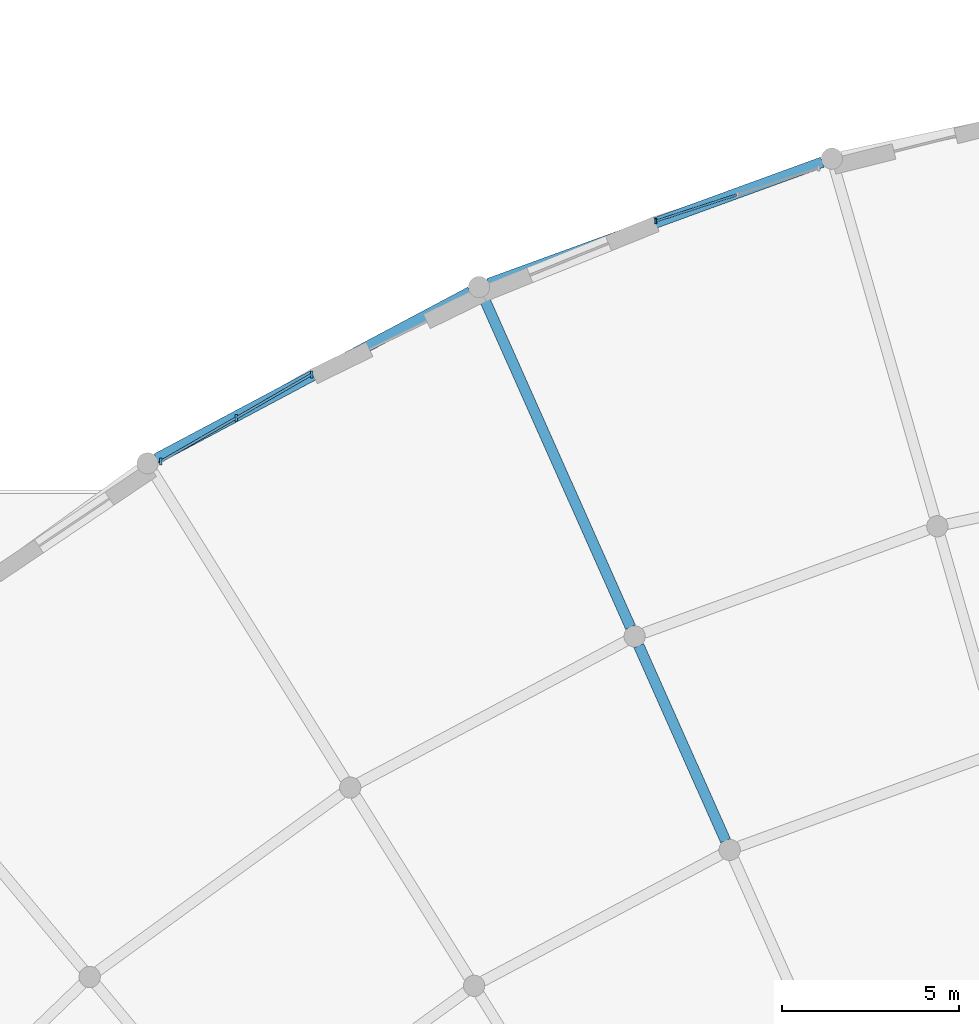
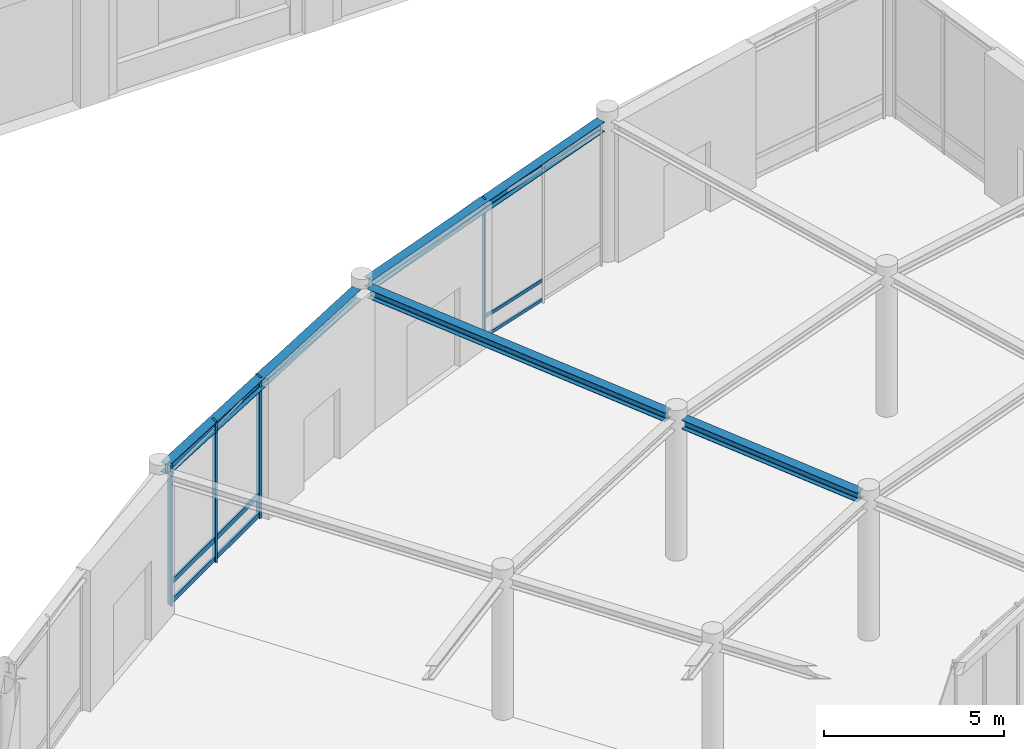
# One storey, part 31 of 64: 13 members, 4 beams, 2 elements without a shape of their own.
"""IFC4 building model written with IfcOpenShell, lengths in metres."""

from ifc_helpers import new_model, si_unit, direction, frame, origin, origin_2d, place, context, subcontext, project, spatial, rectangle, i_section, extrude, material, material_profile, profile_set, type_object, element, aggregate, save


model = new_model("IFC4")

# Units and contexts
model_context = context("Model", 3, precision=1e-05, world=origin(), true_north=direction((0.0, 1.0)))
body_context = subcontext(model_context, "Body", "Model", "MODEL_VIEW")
ifc_project = project(units=[si_unit("LENGTHUNIT", "METRE"), si_unit("AREAUNIT", "SQUARE_METRE"), si_unit("VOLUMEUNIT", "CUBIC_METRE"), si_unit("PLANEANGLEUNIT", "RADIAN"), si_unit("MASSUNIT", "GRAM", prefix="KILO")], contexts=[model_context])

# Site, building, storey
site_placement = place(None, origin())
site = spatial("IfcSite", under=ifc_project, at=site_placement, CompositionType="ELEMENT")
building_placement = place(site_placement, origin())
building = spatial("IfcBuilding", under=site, at=building_placement, Name="Clarverna Civic Hall", CompositionType="ELEMENT")
storey_placement = place(building_placement, origin())
storey = spatial("IfcBuildingStorey", under=building, at=storey_placement, Name="L00", CompositionType="ELEMENT", Elevation=0.0)

# Beams
ifc_material_1 = material(Name="Steel S355", Category="steel")
ifc_material_profile_1 = material_profile(ifc_material_1, i_section(OverallWidth=0.300048828125, OverallDepth=0.330078125, WebThickness=0.009521484375, FlangeThickness=0.0166015625, FilletRadius=0.027099609375, at=origin_2d()), Name="HEA 340")
ifc_profile_set_1 = profile_set([ifc_material_profile_1], Name="Steel S355")
beam_type_1 = type_object("IfcBeamType", Name="B-ST8", PredefinedType="BEAM", material=ifc_profile_set_1)
for number, where, z_axis, x_axis, name in (
    (1, (130.78369140625, 80.95849609375, 4.614990234375), (-0.939696050408, -0.342010720369, 0.0), (0.342010720369, -0.939696050408, 0.0), "B-ST8-048"),
    (2, (120.83642578125, 77.295654296875, 4.614990234375), (-0.882948366794, -0.469470107222, 0.0), (0.469470107222, -0.882948366794, 0.0), "B-ST8-049"),
):
    element("IfcBeam", number, at=place(storey_placement, frame(where, z_axis=z_axis, x_axis=x_axis)), inside=storey, type_object=beam_type_1, Name=name, PredefinedType="BEAM", context=body_context, shape_type="SweptSolid", body=[
        extrude(i_section(OverallWidth=0.300048828125, OverallDepth=0.330078125, WebThickness=0.009521484375, FlangeThickness=0.0166015625, FilletRadius=0.027099609375, at=origin_2d()), origin(), (0.0, 0.0, 1.0), 10.032958984375),
    ])
ifc_material_profile_2 = material_profile(ifc_material_1, i_section(OverallWidth=0.300048828125, OverallDepth=0.31005859375, WebThickness=0.009033203125, FlangeThickness=0.015380859375, FilletRadius=0.027099609375, at=origin_2d()), Name="HEA 320")
ifc_profile_set_2 = profile_set([ifc_material_profile_2], Name="Steel S355")
beam_type_2 = type_object("IfcBeamType", Name="B-ST9", PredefinedType="BEAM", material=ifc_profile_set_2)
beam_1_placement = place(storey_placement, frame((128.04931640625, 61.794189453125, 4.625), z_axis=(-0.406746954936, 0.913540866437, 0.0), x_axis=(-0.913540866437, -0.406746954936, 0.0)))
element("IfcBeam", 3, at=beam_1_placement, inside=storey, type_object=beam_type_2, Name="B-ST9-029", PredefinedType="BEAM", context=body_context, shape_type="SweptSolid", body=[
    extrude(i_section(OverallWidth=0.300048828125, OverallDepth=0.31005859375, WebThickness=0.009033203125, FlangeThickness=0.015380859375, FilletRadius=0.027099609375, at=origin_2d()), origin(), (0.0, 0.0, 1.0), 6.02978515625),
])
beam_2_placement = place(storey_placement, frame((125.364990234375, 67.823486328125, 4.625), z_axis=(-0.406749507712, 0.913539729829, 0.0), x_axis=(-0.913539729829, -0.406749507712, 0.0)))
element("IfcBeam", 4, at=beam_2_placement, inside=storey, type_object=beam_type_2, Name="B-ST9-030", PredefinedType="BEAM", context=body_context, shape_type="SweptSolid", body=[
    extrude(i_section(OverallWidth=0.300048828125, OverallDepth=0.31005859375, WebThickness=0.009033203125, FlangeThickness=0.015380859375, FilletRadius=0.027099609375, at=origin_2d()), origin(), (0.0, 0.0, 1.0), 10.230224609375),
])

# Curtain wall, members
ifc_material_2 = material(Name="Anodised Bronze Architectural Aluminium", Category="aluminium")
curtain_wall_type = type_object("IfcCurtainWallType", Name="CW-03", PredefinedType="USERDEFINED", material=ifc_material_2)
curtain_wall_1_placement = place(storey_placement, origin())
curtain_wall_1 = element("IfcCurtainWall", 5, at=curtain_wall_1_placement, inside=storey, type_object=curtain_wall_type, Name="CW-03-002", ObjectType="UNITISED CURTAIN WALL", PredefinedType="USERDEFINED")
ifc_material_profile_3 = material_profile(ifc_material_2, rectangle(XDim=0.06494140625, YDim=0.199951171875, at=origin_2d()), Name="BRONZE 65x200")
ifc_profile_set_3 = profile_set([ifc_material_profile_3], Name="Anodised Bronze Architectural Aluminium")
member_type_1 = type_object("IfcMemberType", Name="CWM-03", PredefinedType="MULLION", material=ifc_profile_set_3)
member_1_placement = place(storey_placement, frame((112.0947265625, 72.5029296875, 0.0), z_axis=(0.0, 0.0, 1.0), x_axis=(1.0, 0.0, 0.0)))
member_1 = element("IfcMember", 6, at=member_1_placement, type_object=member_type_1, Name="CWM-03-001", PredefinedType="MULLION", context=body_context, shape_type="SweptSolid", body=[
    extrude(rectangle(XDim=0.06494140625, YDim=0.199951171875, at=origin_2d()), origin(), (0.0, 0.0, 1.0), 4.780029296875),
])
member_2_placement = place(storey_placement, frame((114.22802734375, 73.734619140625, 0.0), z_axis=(0.0, 0.0, 1.0), x_axis=(1.0, 0.0, 0.0)))
member_2 = element("IfcMember", 7, at=member_2_placement, type_object=member_type_1, Name="CWM-03-002", PredefinedType="MULLION", context=body_context, shape_type="SweptSolid", body=[
    extrude(rectangle(XDim=0.06494140625, YDim=0.199951171875, at=origin_2d()), origin(), (0.0, 0.0, 1.0), 4.780029296875),
])
member_3_placement = place(storey_placement, frame((116.361572265625, 74.96630859375, 0.0), z_axis=(0.0, 0.0, 1.0), x_axis=(1.0, 0.0, 0.0)))
member_3 = element("IfcMember", 8, at=member_3_placement, type_object=member_type_1, Name="CWM-03-003", PredefinedType="MULLION", context=body_context, shape_type="SweptSolid", body=[
    extrude(rectangle(XDim=0.06494140625, YDim=0.199951171875, at=origin_2d()), origin(), (0.0, 0.0, 1.0), 4.780029296875),
])

# Curtain wall, member
curtain_wall_2_placement = place(storey_placement, origin())
curtain_wall_2 = element("IfcCurtainWall", 9, at=curtain_wall_2_placement, inside=storey, type_object=curtain_wall_type, Name="CW-03-003", ObjectType="UNITISED CURTAIN WALL", PredefinedType="USERDEFINED")
ifc_material_profile_4 = material_profile(ifc_material_2, rectangle(XDim=0.054931640625, YDim=0.139892578125, at=origin_2d()), Name="BRONZE 55x140")
ifc_profile_set_4 = profile_set([ifc_material_profile_4], Name="Anodised Bronze Architectural Aluminium")
member_type_2 = type_object("IfcMemberType", Name="CWM-04", PredefinedType="MULLION", material=ifc_profile_set_4)
member_4_placement = place(storey_placement, frame((126.081298828125, 79.293701171875, 0.0), z_axis=(0.0, 0.0, 1.0), x_axis=(1.0, 0.0, 0.0)))
member_4 = element("IfcMember", 10, at=member_4_placement, type_object=member_type_2, Name="CWM-04-001", PredefinedType="MULLION", context=body_context, shape_type="SweptSolid", body=[
    extrude(rectangle(XDim=0.054931640625, YDim=0.139892578125, at=origin_2d()), origin(), (0.0, 0.0, 1.0), 4.780029296875),
])

# Member
ifc_material_profile_5 = material_profile(ifc_material_2, rectangle(XDim=0.06494140625, YDim=0.169921875, at=origin_2d()), Name="BRONZE 65x170")
ifc_profile_set_5 = profile_set([ifc_material_profile_5], Name="Anodised Bronze Architectural Aluminium")
member_type_3 = type_object("IfcMemberType", Name="CWT-03", PredefinedType="USERDEFINED", material=ifc_profile_set_5)
member_5_placement = place(storey_placement, frame((112.107666015625, 72.510498046875, 0.094970703125), z_axis=(0.866055271361, 0.499948264271, 0.0), x_axis=(-0.499948264271, 0.866055271361, 0.0)))
member_5 = element("IfcMember", 11, at=member_5_placement, type_object=member_type_3, Name="CWT-03-001", ObjectType="TRANSOM", PredefinedType="USERDEFINED", context=body_context, shape_type="SweptSolid", body=[
    extrude(rectangle(XDim=0.06494140625, YDim=0.169921875, at=origin_2d()), origin(), (0.0, 0.0, 1.0), 2.433349609375),
])

member_6_placement = place(storey_placement, frame((112.107666015625, 72.510498046875, 0.75), z_axis=(0.866055271361, 0.499948264271, 0.0), x_axis=(-0.499948264271, 0.866055271361, 0.0)))
member_6 = element("IfcMember", 12, at=member_6_placement, type_object=member_type_3, Name="CWT-03-002", ObjectType="TRANSOM", PredefinedType="USERDEFINED", context=body_context, shape_type="SweptSolid", body=[
    extrude(rectangle(XDim=0.06494140625, YDim=0.169921875, at=origin_2d()), origin(), (0.0, 0.0, 1.0), 2.433349609375),
])

member_7_placement = place(storey_placement, frame((112.107666015625, 72.510498046875, 4.68505859375), z_axis=(0.866055271361, 0.499948264271, 0.0), x_axis=(-0.499948264271, 0.866055271361, 0.0)))
member_7 = element("IfcMember", 13, at=member_7_placement, type_object=member_type_3, Name="CWT-03-003", ObjectType="TRANSOM", PredefinedType="USERDEFINED", context=body_context, shape_type="SweptSolid", body=[
    extrude(rectangle(XDim=0.06494140625, YDim=0.169921875, at=origin_2d()), origin(), (0.0, 0.0, 1.0), 2.433349609375),
])

member_8_placement = place(storey_placement, frame((114.2412109375, 73.7421875, 0.094970703125), z_axis=(0.866055271361, 0.499948264271, 0.0), x_axis=(-0.499948264271, 0.866055271361, 0.0)))
member_8 = element("IfcMember", 14, at=member_8_placement, type_object=member_type_3, Name="CWT-03-004", ObjectType="TRANSOM", PredefinedType="USERDEFINED", context=body_context, shape_type="SweptSolid", body=[
    extrude(rectangle(XDim=0.06494140625, YDim=0.169921875, at=origin_2d()), origin(), (0.0, 0.0, 1.0), 2.433349609375),
])

member_9_placement = place(storey_placement, frame((114.2412109375, 73.7421875, 0.75), z_axis=(0.866055271361, 0.499948264271, 0.0), x_axis=(-0.499948264271, 0.866055271361, 0.0)))
member_9 = element("IfcMember", 15, at=member_9_placement, type_object=member_type_3, Name="CWT-03-005", ObjectType="TRANSOM", PredefinedType="USERDEFINED", context=body_context, shape_type="SweptSolid", body=[
    extrude(rectangle(XDim=0.06494140625, YDim=0.169921875, at=origin_2d()), origin(), (0.0, 0.0, 1.0), 2.433349609375),
])

member_10_placement = place(storey_placement, frame((114.2412109375, 73.7421875, 4.68505859375), z_axis=(0.866055271361, 0.499948264271, 0.0), x_axis=(-0.499948264271, 0.866055271361, 0.0)))
member_10 = element("IfcMember", 16, at=member_10_placement, type_object=member_type_3, Name="CWT-03-006", ObjectType="TRANSOM", PredefinedType="USERDEFINED", context=body_context, shape_type="SweptSolid", body=[
    extrude(rectangle(XDim=0.06494140625, YDim=0.169921875, at=origin_2d()), origin(), (0.0, 0.0, 1.0), 2.433349609375),
])

aggregate(curtain_wall_1, [member_1, member_2, member_3, member_5, member_6, member_7, member_8, member_9, member_10])

ifc_material_profile_6 = material_profile(ifc_material_2, rectangle(XDim=0.054931640625, YDim=0.110107421875, at=origin_2d()), Name="BRONZE 55x110")
ifc_profile_set_6 = profile_set([ifc_material_profile_6], Name="Anodised Bronze Architectural Aluminium")
member_type_4 = type_object("IfcMemberType", Name="CWT-04", PredefinedType="USERDEFINED", material=ifc_profile_set_6)
member_11_placement = place(storey_placement, frame((126.095458984375, 79.29833984375, 0.094970703125), z_axis=(0.951038576678, 0.309072201387, 0.0), x_axis=(-0.309072201387, 0.951038576678, 0.0)))
member_11 = element("IfcMember", 17, at=member_11_placement, type_object=member_type_4, Name="CWT-04-001", ObjectType="TRANSOM", PredefinedType="USERDEFINED", context=body_context, shape_type="SweptSolid", body=[
    extrude(rectangle(XDim=0.054931640625, YDim=0.110107421875, at=origin_2d()), origin(), (0.0, 0.0, 1.0), 2.387939453125),
])

member_12_placement = place(storey_placement, frame((126.095458984375, 79.29833984375, 0.75), z_axis=(0.951038576678, 0.309072201387, 0.0), x_axis=(-0.309072201387, 0.951038576678, 0.0)))
member_12 = element("IfcMember", 18, at=member_12_placement, type_object=member_type_4, Name="CWT-04-002", ObjectType="TRANSOM", PredefinedType="USERDEFINED", context=body_context, shape_type="SweptSolid", body=[
    extrude(rectangle(XDim=0.054931640625, YDim=0.110107421875, at=origin_2d()), origin(), (0.0, 0.0, 1.0), 2.387939453125),
])

member_13_placement = place(storey_placement, frame((126.095458984375, 79.29833984375, 4.68505859375), z_axis=(0.951038576678, 0.309072201387, 0.0), x_axis=(-0.309072201387, 0.951038576678, 0.0)))
member_13 = element("IfcMember", 19, at=member_13_placement, type_object=member_type_4, Name="CWT-04-003", ObjectType="TRANSOM", PredefinedType="USERDEFINED", context=body_context, shape_type="SweptSolid", body=[
    extrude(rectangle(XDim=0.054931640625, YDim=0.110107421875, at=origin_2d()), origin(), (0.0, 0.0, 1.0), 2.387939453125),
])

aggregate(curtain_wall_2, [member_4, member_11, member_12, member_13])

save(model, "model.ifc")
